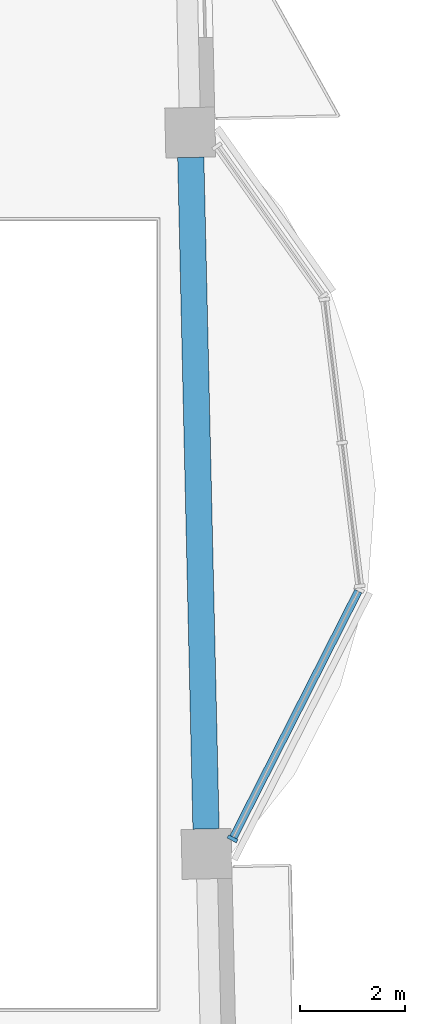
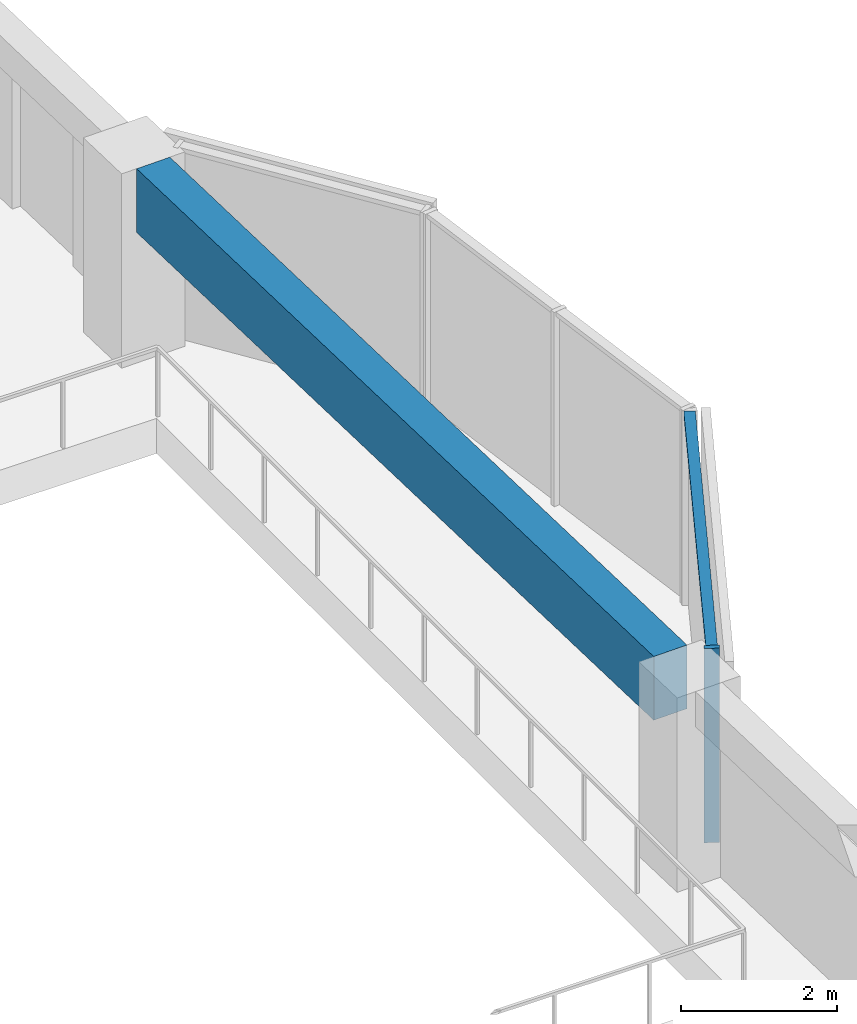
# One storey, part 2 of 19: 2 members, 1 beam, 1 element without a shape of its own.
"""IFC4 building model written with IfcOpenShell, lengths in metres."""

from ifc_helpers import new_model, si_unit, direction, frame, origin, origin_2d, place, context, subcontext, project, spatial, rectangle, extrude, material, material_profile, profile_set, type_object, element, aggregate, save


model = new_model("IFC4")

# Units and contexts
model_context = context("Model", 3, precision=1e-05, world=origin(), true_north=direction((0.0, 1.0)))
body_context = subcontext(model_context, "Body", "Model", "MODEL_VIEW")
ifc_project = project(units=[si_unit("LENGTHUNIT", "METRE"), si_unit("AREAUNIT", "SQUARE_METRE"), si_unit("VOLUMEUNIT", "CUBIC_METRE"), si_unit("PLANEANGLEUNIT", "RADIAN"), si_unit("MASSUNIT", "GRAM", prefix="KILO")], contexts=[model_context])

# Site, building, storey
site_placement = place(None, origin())
site = spatial("IfcSite", under=ifc_project, at=site_placement, CompositionType="ELEMENT")
building_placement = place(site_placement, origin())
building = spatial("IfcBuilding", under=site, at=building_placement, Name="Mangrove Gate Tower", CompositionType="ELEMENT")
storey_placement = place(building_placement, frame((0.0, 0.0, 283.5)))
storey = spatial("IfcBuildingStorey", under=building, at=storey_placement, Name="L72", CompositionType="ELEMENT", Elevation=283.5)

# Curtain wall, members
ifc_material_1 = material(Name="Aluminium and glass curtain wall", Category="aluminium")
curtain_wall_type = type_object("IfcCurtainWallType", Name="Atrium garden-court glazing wall", PredefinedType="NOTDEFINED", material=ifc_material_1)
curtain_wall_placement = place(storey_placement, origin())
curtain_wall = element("IfcCurtainWall", 1, at=curtain_wall_placement, inside=storey, type_object=curtain_wall_type, Name="Atrium garden-court glazing E1f1", PredefinedType="NOTDEFINED")
ifc_material_2 = material(Name="Aluminium alloy 6063-T6", Category="aluminium")
ifc_material_profile_1 = material_profile(ifc_material_2, rectangle(XDim=0.070068359375, YDim=0.199951171875, at=origin_2d()))
ifc_profile_set_1 = profile_set([ifc_material_profile_1], Name="Aluminium alloy 6063-T6")
member_type_1 = type_object("IfcMemberType", Name="Atrium garden-court glazing mullion 70x200", PredefinedType="MULLION", material=ifc_profile_set_1)
member_1_placement = place(storey_placement, frame((31.336181640625, -4.276611328125, 0.0), z_axis=(0.0, 0.0, 1.0), x_axis=(0.452617386511, 0.891704828644, 0.0)))
member_1 = element("IfcMember", 2, at=member_1_placement, type_object=member_type_1, Name="CWA mullion 1", PredefinedType="MULLION", context=body_context, shape_type="SweptSolid", body=[
    extrude(rectangle(XDim=0.070068359375, YDim=0.199951171875, at=origin_2d()), origin(), (0.0, 0.0, 1.0), 3.050048828125),
])
ifc_material_3 = material(Name="Aluminium alloy 6063-T6", Category="aluminium")
ifc_material_profile_2 = material_profile(ifc_material_3, rectangle(XDim=0.070068359375, YDim=0.14990234375, at=origin_2d()))
ifc_profile_set_2 = profile_set([ifc_material_profile_2], Name="Aluminium alloy 6063-T6")
member_type_2 = type_object("IfcMemberType", Name="Atrium garden-court glazing transom 70x150", PredefinedType="USERDEFINED", material=ifc_profile_set_2)
member_2_placement = place(storey_placement, frame((31.35205078125, -4.245361328125, 3.014892578125), z_axis=(0.452628185689, 0.891699347045, 0.0), x_axis=(0.0, 0.0, 1.0)))
member_2 = element("IfcMember", 3, at=member_2_placement, type_object=member_type_2, Name="CWA transom 1.2", ObjectType="TRANSOM", PredefinedType="USERDEFINED", context=body_context, shape_type="SweptSolid", body=[
    extrude(rectangle(XDim=0.070068359375, YDim=0.14990234375, at=origin_2d()), origin(), (0.0, 0.0, 1.0), 5.258544921875),
])
aggregate(curtain_wall, [member_1, member_2])

# Beam
ifc_material_4 = material(Name="Concrete C50/60", Category="concrete")
ifc_material_profile_3 = material_profile(ifc_material_4, rectangle(XDim=0.5, YDim=1.0, at=origin_2d()))
ifc_profile_set_3 = profile_set([ifc_material_profile_3], Name="Concrete C50/60")
beam_type = type_object("IfcBeamType", Name="Edge beam RC 500x1000 C50/60", PredefinedType="BEAM", material=ifc_profile_set_3)
beam_placement = place(storey_placement, frame((30.830322265625, -4.0888671875, 2.550048828125), z_axis=(-0.022696710072, 0.999742396496, 0.0), x_axis=(-0.999742396496, -0.022696710072, 0.0)))
element("IfcBeam", 4, at=beam_placement, inside=storey, type_object=beam_type, Name="Edge beam L72 16", PredefinedType="BEAM", context=body_context, shape_type="SweptSolid", body=[
    extrude(rectangle(XDim=0.5, YDim=1.0, at=origin_2d()), origin(), (0.0, 0.0, 1.0), 12.800537109375),
])

save(model, "model.ifc")
